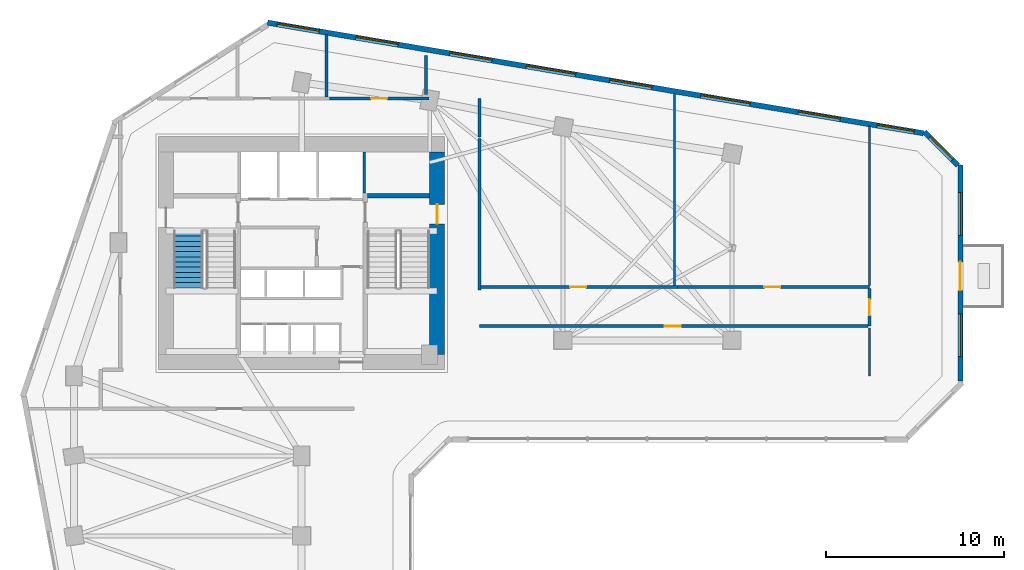
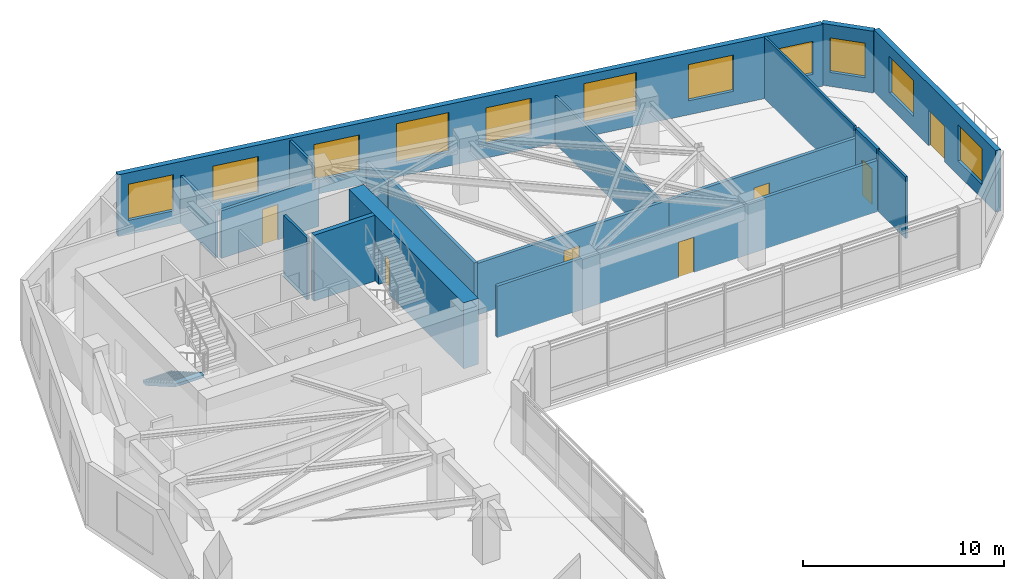
# One storey, part 7 of 11: 18 walls, 11 windows, 7 doors, 1 stair flight, 18 openings, 1 element without a shape of its own.
"""IFC4 building model written with IfcOpenShell, lengths in metres."""

import ifcopenshell
import ifcopenshell.guid

model = None  # the IFC model being written
_history = None  # IfcOwnerHistory: only IFC2X3 demands one
_inside = {}  # id of a spatial element -> (the spatial element, [elements in it])
_under = {}  # id of a project, library or spatial element -> (it, [spatial elements below it])
_declared = {}  # id of a project -> (the project, [libraries it declares])
_typed = {}  # id of a type object -> (the type object, [elements of that type])
_made_of = {}  # id of a material, layer set ... -> (it, [elements and type objects made of it])


def new_model(schema):
    """Start an empty IFC model of exactly this schema.

    Asked for "IFC4X3", IfcOpenShell would pick the latest addendum, in which some entities
    have other attributes; the version numbers below select the first issue.
    IFC2X3 requires an IfcOwnerHistory on every rooted entity: one is made here for all.
    """
    global model, _history
    if schema == "IFC4X3":
        model = ifcopenshell.file(schema_version=(4, 3, 0, 0))
    else:
        model = ifcopenshell.file(schema=schema)
    _inside.clear()
    _under.clear()
    _declared.clear()
    _typed.clear()
    _made_of.clear()
    _history = None
    if model.schema == "IFC2X3":
        org = make("IfcOrganization", Name="unknown")
        user = make(
            "IfcPersonAndOrganization",
            ThePerson=make("IfcPerson", FamilyName="unknown"),
            TheOrganization=org,
        )
        app = make(
            "IfcApplication",
            ApplicationDeveloper=org,
            Version="unknown",
            ApplicationFullName="unknown",
            ApplicationIdentifier="unknown",
        )
        _history = make(
            "IfcOwnerHistory",
            OwningUser=user,
            OwningApplication=app,
            ChangeAction="ADDED",
            CreationDate=0,
        )
    return model


def make(cls, **values):
    """One entity of the class cls with the attributes given. An attribute that is None is left unset."""
    return model.create_entity(
        cls, **{name: value for name, value in values.items() if value is not None}
    )


def rooted(cls, **values):
    """An entity with a GlobalId (a new one), such as an element, a storey or a relation."""
    return make(cls, GlobalId=ifcopenshell.guid.new(), OwnerHistory=_history, **values)


def si_unit(unit_type, name, prefix=None):
    """IfcSIUnit, for example si_unit("LENGTHUNIT", "METRE", prefix="MILLI")."""
    return make("IfcSIUnit", UnitType=unit_type, Prefix=prefix, Name=name)


def assignment(units):
    """IfcUnitAssignment: the units of a project."""
    return None if units is None else make("IfcUnitAssignment", Units=units)


def point(xyz):
    """IfcCartesianPoint."""
    return None if xyz is None else make("IfcCartesianPoint", Coordinates=xyz)


def direction(xyz):
    """IfcDirection."""
    return None if xyz is None else make("IfcDirection", DirectionRatios=xyz)


def frame(location, z_axis=None, x_axis=None):
    """IfcAxis2Placement3D, a coordinate frame: its origin and axes. An axis left out is left unset."""
    return make(
        "IfcAxis2Placement3D",
        Location=point(location),
        Axis=direction(z_axis),
        RefDirection=direction(x_axis),
    )


def frame_2d(location, x_axis=None):
    """IfcAxis2Placement2D, a coordinate frame in the plane: its origin and x axis."""
    return make(
        "IfcAxis2Placement2D", Location=point(location), RefDirection=direction(x_axis)
    )


def origin():
    """The frame at (0, 0, 0) with its axes left unset."""
    return frame((0.0, 0.0, 0.0))


def place(relative_to, where):
    """IfcLocalPlacement: puts the frame where relative to a parent placement (None: the world)."""
    return make(
        "IfcLocalPlacement", PlacementRelTo=relative_to, RelativePlacement=where
    )


def context(
    kind, dimensions, precision=None, world=None, true_north=None, identifier=None
):
    """IfcGeometricRepresentationContext, for example the 3D "Model" context."""
    return make(
        "IfcGeometricRepresentationContext",
        ContextIdentifier=identifier,
        ContextType=kind,
        CoordinateSpaceDimension=dimensions,
        Precision=precision,
        WorldCoordinateSystem=world,
        TrueNorth=true_north,
    )


def subcontext(parent, identifier, kind, view, scale=None):
    """IfcGeometricRepresentationSubContext, for example "Body" below "Model"."""
    return make(
        "IfcGeometricRepresentationSubContext",
        ContextIdentifier=identifier,
        ContextType=kind,
        ParentContext=parent,
        TargetScale=scale,
        TargetView=view,
    )


def project(units=None, contexts=None):
    """IfcProject with its units and contexts."""
    return rooted(
        "IfcProject",
        Name="project",
        RepresentationContexts=contexts,
        UnitsInContext=assignment(units),
    )


def spatial(cls, under=None, at=None, **own):
    """A site, building, storey or space (cls), placed at a placement, below another one or the project."""
    s = rooted(cls, ObjectPlacement=at, **own)
    if under is not None:
        _under.setdefault(under.id(), (under, []))[1].append(s)
    return s


def polyline(points):
    """IfcPolyline through the points."""
    return make("IfcPolyline", Points=[point(p) for p in points])


def profile(cls, at=None, kind="AREA", **sizes):
    """A parametric profile (cls). Its sizes go by their IFC names, for example OverallWidth=200.0."""
    return make(cls, ProfileType=kind, Position=at, **sizes)


def rectangle(**sizes):
    """IfcRectangleProfileDef."""
    return profile("IfcRectangleProfileDef", **sizes)


def outline(outer, holes=None, kind="AREA"):
    """IfcArbitraryClosedProfileDef: a profile drawn as a closed curve; with holes, ...WithVoids."""
    if holes is None:
        return make("IfcArbitraryClosedProfileDef", ProfileType=kind, OuterCurve=outer)
    return make(
        "IfcArbitraryProfileDefWithVoids",
        ProfileType=kind,
        OuterCurve=outer,
        InnerCurves=holes,
    )


def extrude(swept, where, along, depth):
    """IfcExtrudedAreaSolid: the profile swept, set in the frame where, extruded along a direction by depth."""
    return make(
        "IfcExtrudedAreaSolid",
        SweptArea=swept,
        Position=where,
        ExtrudedDirection=direction(along),
        Depth=depth,
    )


def shape(context_of_items, identifier, shape_type, items):
    """IfcShapeRepresentation: the items that make up one representation, for example the "Body"."""
    return make(
        "IfcShapeRepresentation",
        ContextOfItems=context_of_items,
        RepresentationIdentifier=identifier,
        RepresentationType=shape_type,
        Items=items,
    )


def source(mapping_origin, context_of_items, identifier, shape_type, items):
    """IfcRepresentationMap: a shape defined once, which mapped items show again and again."""
    return make(
        "IfcRepresentationMap",
        MappingOrigin=mapping_origin,
        MappedRepresentation=shape(context_of_items, identifier, shape_type, items),
    )


def transform(
    local_origin,
    x_axis=None,
    y_axis=None,
    z_axis=None,
    scale=None,
    scale2=None,
    scale3=None,
    uniform=True,
):
    """IfcCartesianTransformationOperator3D, or its non-uniform kind. x_axis, y_axis, z_axis: its Axis1, 2, 3."""
    if uniform:
        return make(
            "IfcCartesianTransformationOperator3D",
            Axis1=direction(x_axis),
            Axis2=direction(y_axis),
            LocalOrigin=point(local_origin),
            Scale=scale,
            Axis3=direction(z_axis),
        )
    return make(
        "IfcCartesianTransformationOperator3DnonUniform",
        Axis1=direction(x_axis),
        Axis2=direction(y_axis),
        LocalOrigin=point(local_origin),
        Scale=scale,
        Axis3=direction(z_axis),
        Scale2=scale2,
        Scale3=scale3,
    )


def mapped(mapping_source, mapping_target):
    """IfcMappedItem: shows the shape of a source again, moved by a transform."""
    return make(
        "IfcMappedItem", MappingSource=mapping_source, MappingTarget=mapping_target
    )


def material(Name=None, Category=None):
    """IfcMaterial."""
    return make("IfcMaterial", Name=Name, Category=Category)


def layer(
    of_material, thickness, ventilated=None, Name=None, Category=None, Priority=None
):
    """IfcMaterialLayer: one layer of a wall or slab, of a material (None: an air gap)."""
    return make(
        "IfcMaterialLayer",
        Material=of_material,
        LayerThickness=thickness,
        IsVentilated=ventilated,
        Name=Name,
        Category=Category,
        Priority=Priority,
    )


def layer_set(layers, Name=None):
    """IfcMaterialLayerSet."""
    return make("IfcMaterialLayerSet", MaterialLayers=layers, LayerSetName=Name)


def made_of(thing, what):
    """Note that an element or type object is made of a material, layer set ...; save() writes the relation."""
    if what is not None:
        _made_of.setdefault(what.id(), (what, []))[1].append(thing)
    return thing


def type_object(cls, material=None, **own):
    """A type object (cls), such as IfcWallType, which elements share."""
    return made_of(rooted(cls, **own), material)


def element(
    cls,
    number,
    at=None,
    inside=None,
    cuts=None,
    type_object=None,
    material=None,
    context=None,
    identifier="Body",
    shape_type=None,
    held_by="IfcProductDefinitionShape",
    body=None,
    shapes=None,
    **own,
):
    """One element of the class cls, such as IfcWall. Its Tag is "e" and its number.

    at: its placement. inside: the storey or other place that contains it. cuts: it is an
    opening in that element (IfcRelVoidsElement). A single representation is given by context,
    identifier, shape_type and body (its items); several are given by shapes. held_by: the class
    of the entity that holds the representations. save() writes the other relations.
    """
    e = rooted(cls, Tag="e%d" % number, ObjectPlacement=at, **own)
    if body is not None:
        shapes = [shape(context, identifier, shape_type, body)]
    if shapes is not None:
        e.Representation = make(held_by, Representations=shapes)
    if inside is not None:
        _inside.setdefault(inside.id(), (inside, []))[1].append(e)
    if cuts is not None:
        rooted(
            "IfcRelVoidsElement", RelatingBuildingElement=cuts, RelatedOpeningElement=e
        )
    if type_object is not None:
        _typed.setdefault(type_object.id(), (type_object, []))[1].append(e)
    return made_of(e, material)


def fill(opening, filler):
    """IfcRelFillsElement: the door or window that sits in an opening."""
    return rooted(
        "IfcRelFillsElement",
        RelatingOpeningElement=opening,
        RelatedBuildingElement=filler,
    )


def aggregate(whole, parts):
    """IfcRelAggregates: a whole, such as a stair, and the parts it consists of."""
    return rooted("IfcRelAggregates", RelatingObject=whole, RelatedObjects=parts)


def save(model, path):
    """Write the relations noted so far, then the file.

    IfcRelAggregates (storeys below a building ...), IfcRelContainedInSpatialStructure (elements
    in a storey), IfcRelDefinesByType, IfcRelAssociatesMaterial and IfcRelDeclares: one each for
    every whole, place, type object, material and project.
    """
    for whole, parts in _under.values():
        aggregate(whole, parts)
    for where, things in _inside.values():
        rooted(
            "IfcRelContainedInSpatialStructure",
            RelatedElements=things,
            RelatingStructure=where,
        )
    for kind, things in _typed.values():
        rooted("IfcRelDefinesByType", RelatedObjects=things, RelatingType=kind)
    for what, things in _made_of.values():
        rooted("IfcRelAssociatesMaterial", RelatedObjects=things, RelatingMaterial=what)
    for by, libraries in _declared.values():
        rooted("IfcRelDeclares", RelatingContext=by, RelatedDefinitions=libraries)
    model.write(path)


model = new_model("IFC4")

# Units and contexts
model_context = context("Model", 3, precision=1e-05, world=origin(), true_north=direction((0.0, 1.0)))
body_context = subcontext(model_context, "Body", "Model", "MODEL_VIEW")
ifc_project = project(units=[si_unit("LENGTHUNIT", "METRE"), si_unit("AREAUNIT", "SQUARE_METRE"), si_unit("VOLUMEUNIT", "CUBIC_METRE"), si_unit("PLANEANGLEUNIT", "RADIAN"), si_unit("MASSUNIT", "GRAM", prefix="KILO")], contexts=[model_context])

# Site, building, storey
site_placement = place(None, origin())
site = spatial("IfcSite", under=ifc_project, at=site_placement, CompositionType="ELEMENT")
building_placement = place(site_placement, origin())
building = spatial("IfcBuilding", under=site, at=building_placement, Name="Calvemar Wedge Station Tower", CompositionType="ELEMENT")
storey_placement = place(building_placement, frame((0.0, 0.0, 31.0)))
storey = spatial("IfcBuildingStorey", under=building, at=storey_placement, Name="L07", CompositionType="ELEMENT", Elevation=31.0)

# Wall
ifc_material_1 = material(Name="Concrete C50", Category="concrete")
ifc_layer_1 = layer(ifc_material_1, 0.260009765625)
ifc_layer_set_1 = layer_set([ifc_layer_1], Name="Concrete C50")
wall_type_1 = type_object("IfcWallType", Name="SW-CORE-260", PredefinedType="SHEAR", material=ifc_layer_set_1)
wall_1_placement = place(storey_placement, frame((27.5, 43.1298828125, 0.0), z_axis=(0.0, 0.0, 1.0), x_axis=(1.0, 0.0, 0.0)))
element("IfcWall", 1, at=wall_1_placement, inside=storey, type_object=wall_type_1, Name="Storey L07 Core Shear Wall STC2-N", PredefinedType="SHEAR", context=body_context, shape_type="SweptSolid", body=[
    extrude(rectangle(XDim=3.5, YDim=0.260009765625, at=frame_2d((1.75, 0.0))), origin(), (0.0, 0.0, 1.0), 4.0),
])

# Wall, opening, door
ifc_material_2 = material(Name="Concrete C80", Category="concrete")
ifc_layer_2 = layer(ifc_material_2, 0.85009765625)
ifc_layer_set_2 = layer_set([ifc_layer_2], Name="Concrete C80")
wall_type_2 = type_object("IfcWallType", Name="SW-CORE-850", PredefinedType="SHEAR", material=ifc_layer_set_2)
wall_2_placement = place(storey_placement, frame((31.425048828125, 34.199951171875, 0.0), z_axis=(0.0, 0.0, 1.0), x_axis=(0.0, 1.0, 0.0)))
wall_2 = element("IfcWall", 2, at=wall_2_placement, inside=storey, type_object=wall_type_2, Name="Storey L07 Core Shear Wall E", PredefinedType="SHEAR", context=body_context, shape_type="SweptSolid", body=[
    extrude(rectangle(XDim=11.400146484375, YDim=0.85009765625, at=frame_2d((5.7001953125, 0.0))), origin(), (0.0, 0.0, 1.0), 4.0),
])
shared_shape_1 = source(origin(), body_context, "Body", "SweptSolid", [
    extrude(rectangle(XDim=1.10009765625, YDim=2.14990234375, at=frame_2d((0.550048828125, 1.074951171875))), frame((0.0, 0.43505859375, 0.0), z_axis=(0.0, -1.0, 0.0), x_axis=(1.0, 0.0, 0.0)), (0.0, 0.0, 1.0), 0.8701171875),
])
opening_1_placement = place(wall_2_placement, frame((7.35009765625, 0.0, 0.0)))
opening_1 = element("IfcOpeningElement", 3, at=opening_1_placement, cuts=wall_2, Name="Opening FD-90", PredefinedType="OPENING", context=body_context, shape_type="MappedRepresentation", body=[
    mapped(shared_shape_1, transform((0.0, 0.0, 0.0), scale=1.0)),
])
ifc_material_3 = material(Name="Galvanized fire-rated steel door leaf P-90", Category="steel")
door_type_1 = type_object("IfcDoorType", Name="DR-FD90-1100", OperationType="NOTDEFINED", PredefinedType="DOOR", material=ifc_material_3)
shared_shape_2 = source(origin(), body_context, "Body", "SweptSolid", [
    extrude(rectangle(XDim=1.10009765625, YDim=2.14990234375, at=frame_2d((0.550048828125, 1.074951171875))), frame((0.0, 0.02490234375, 0.0), z_axis=(0.0, -1.0, 0.0), x_axis=(1.0, 0.0, 0.0)), (0.0, 0.0, 1.0), 0.050048828125),
])
door_1_placement = place(opening_1_placement, origin())
door_1 = element("IfcDoor", 4, at=door_1_placement, inside=storey, type_object=door_type_1, Name="L07 East Corridor to Exit Stair ST-C2 Door", OperationType="SINGLE_SWING_LEFT", OverallHeight=2.14990234375, OverallWidth=1.10009765625, PredefinedType="DOOR", context=body_context, shape_type="MappedRepresentation", body=[
    mapped(shared_shape_2, transform((0.0, 0.0, 0.0), scale=1.0)),
])
fill(opening_1, door_1)

ifc_material_4 = material(Name="Double-stud fire-rated corridor partition")
ifc_layer_3 = layer(ifc_material_4, 0.179931640625)
ifc_layer_set_3 = layer_set([ifc_layer_3], Name="Double-stud fire-rated corridor partition")
wall_type_3 = type_object("IfcWallType", Name="W-CORR-180", PredefinedType="PARTITIONING", material=ifc_layer_set_3)
wall_3_placement = place(storey_placement, frame((25.362060546875, 48.60009765625, 0.0), z_axis=(0.0, 0.0, 1.0), x_axis=(1.0, 0.0, 0.0)))
wall_3 = element("IfcWall", 5, at=wall_3_placement, inside=storey, type_object=wall_type_3, Name="Storey L07 Interior Partition WL-L07-011", PredefinedType="PARTITIONING", context=body_context, shape_type="SweptSolid", body=[
    extrude(rectangle(XDim=5.597900390625, YDim=0.179931640625, at=frame_2d((2.798828125, 0.0))), origin(), (0.0, 0.0, 1.0), 2.89208984375),
])
shared_shape_3 = source(origin(), body_context, "Body", "SweptSolid", [
    extrude(rectangle(XDim=0.89990234375, YDim=2.14990234375, at=frame_2d((0.449951171875, 1.074951171875))), frame((0.0, 0.10009765625, 0.0), z_axis=(0.0, -1.0, 0.0), x_axis=(1.0, 0.0, 0.0)), (0.0, 0.0, 1.0), 0.199951171875),
])
opening_2_placement = place(wall_3_placement, frame((2.34912109375, 0.0, 0.0)))
opening_2 = element("IfcOpeningElement", 6, at=opening_2_placement, cuts=wall_3, Name="Opening D-01", PredefinedType="OPENING", context=body_context, shape_type="MappedRepresentation", body=[
    mapped(shared_shape_3, transform((0.0, 0.0, 0.0), scale=1.0)),
])
ifc_material_5 = material(Name="Architectural hardwood acoustic swing door", Category="wood")
door_type_2 = type_object("IfcDoorType", Name="DR-INT-900", OperationType="NOTDEFINED", PredefinedType="DOOR", material=ifc_material_5)
shared_shape_4 = source(origin(), body_context, "Body", "SweptSolid", [
    extrude(rectangle(XDim=0.89990234375, YDim=2.14990234375, at=frame_2d((0.449951171875, 1.074951171875))), frame((0.0, 0.02490234375, 0.0), z_axis=(0.0, -1.0, 0.0), x_axis=(1.0, 0.0, 0.0)), (0.0, 0.0, 1.0), 0.050048828125),
])
door_2_placement = place(opening_2_placement, origin())
door_2 = element("IfcDoor", 7, at=door_2_placement, inside=storey, type_object=door_type_2, Name="L07 Female Toilet Door", OperationType="SINGLE_SWING_LEFT", OverallHeight=2.14990234375, OverallWidth=0.89990234375, PredefinedType="DOOR", context=body_context, shape_type="MappedRepresentation", body=[
    mapped(shared_shape_4, transform((0.0, 0.0, 0.0), scale=1.0)),
])
fill(opening_2, door_2)

# Walls
wall_4_placement = place(storey_placement, frame((33.800048828125, 48.60009765625, 0.0), z_axis=(0.0, 0.0, 1.0), x_axis=(0.0, -1.0, 0.0)))
element("IfcWall", 8, at=wall_4_placement, inside=storey, type_object=wall_type_3, Name="Storey L07 Interior Partition WL-L07-012", PredefinedType="PARTITIONING", context=body_context, shape_type="SweptSolid", body=[
    extrude(rectangle(XDim=2.150146484375, YDim=0.179931640625, at=frame_2d((1.0751953125, 0.0))), origin(), (0.0, 0.0, 1.0), 2.89208984375),
])
wall_5_placement = place(storey_placement, frame((33.800048828125, 46.35595703125, 0.0), z_axis=(0.0, 0.0, 1.0), x_axis=(0.0, -1.0, 0.0)))
element("IfcWall", 9, at=wall_5_placement, inside=storey, type_object=wall_type_3, Name="Storey L07 Interior Partition WL-L07-013", PredefinedType="PARTITIONING", context=body_context, shape_type="SweptSolid", body=[
    extrude(rectangle(XDim=8.515869140625, YDim=0.179931640625, at=frame_2d((4.2578125, 0.0))), origin(), (0.0, 0.0, 1.0), 3.279052734375),
])

# Wall, opening, door
wall_6_placement = place(storey_placement, frame((33.89404296875, 38.0, 0.0), z_axis=(0.0, 0.0, 1.0), x_axis=(1.0, 0.0, 0.0)))
wall_6 = element("IfcWall", 10, at=wall_6_placement, inside=storey, type_object=wall_type_3, Name="Storey L07 Interior Partition WL-L07-017", PredefinedType="PARTITIONING", context=body_context, shape_type="SweptSolid", body=[
    extrude(rectangle(XDim=11.032958984375, YDim=0.179931640625, at=frame_2d((5.5166015625, 0.0))), origin(), (0.0, 0.0, 1.0), 3.125),
])
opening_3_placement = place(wall_6_placement, frame((5.005859375, 0.0, 0.0)))
opening_3 = element("IfcOpeningElement", 11, at=opening_3_placement, cuts=wall_6, Name="Opening D-01", PredefinedType="OPENING", context=body_context, shape_type="MappedRepresentation", body=[
    mapped(shared_shape_3, transform((0.0, 0.0, 0.0), scale=1.0)),
])
door_3_placement = place(opening_3_placement, origin())
door_3 = element("IfcDoor", 12, at=door_3_placement, inside=storey, type_object=door_type_2, Name="L07 Co-Working Studio Door", OperationType="SINGLE_SWING_RIGHT", OverallHeight=2.14990234375, OverallWidth=0.89990234375, PredefinedType="DOOR", context=body_context, shape_type="MappedRepresentation", body=[
    mapped(shared_shape_4, transform((0.0, 0.0, 0.0), scale=1.0)),
])
fill(opening_3, door_3)

wall_7_placement = place(storey_placement, frame((44.928955078125, 38.0, 0.0), z_axis=(0.0, 0.0, 1.0), x_axis=(1.0, 0.0, 0.0)))
wall_7 = element("IfcWall", 13, at=wall_7_placement, inside=storey, type_object=wall_type_3, Name="Storey L07 Interior Partition WL-L07-018", PredefinedType="PARTITIONING", context=body_context, shape_type="SweptSolid", body=[
    extrude(rectangle(XDim=10.80615234375, YDim=0.179931640625, at=frame_2d((5.403076171875, 0.0))), origin(), (0.0, 0.0, 1.0), 3.125),
])
opening_4_placement = place(wall_7_placement, frame((4.892333984375, 0.0, 0.0)))
opening_4 = element("IfcOpeningElement", 14, at=opening_4_placement, cuts=wall_7, Name="Opening D-01", PredefinedType="OPENING", context=body_context, shape_type="MappedRepresentation", body=[
    mapped(shared_shape_3, transform((0.0, 0.0, 0.0), scale=1.0)),
])
door_4_placement = place(opening_4_placement, origin())
door_4 = element("IfcDoor", 15, at=door_4_placement, inside=storey, type_object=door_type_2, Name="L07 Meeting Room Door", OperationType="SINGLE_SWING_LEFT", OverallHeight=2.14990234375, OverallWidth=0.89990234375, PredefinedType="DOOR", context=body_context, shape_type="MappedRepresentation", body=[
    mapped(shared_shape_4, transform((0.0, 0.0, 0.0), scale=1.0)),
])
fill(opening_4, door_4)

wall_8_placement = place(storey_placement, frame((55.735107421875, 37.906005859375, 0.0), z_axis=(0.0, 0.0, 1.0), x_axis=(0.0, -1.0, 0.0)))
wall_8 = element("IfcWall", 16, at=wall_8_placement, inside=storey, type_object=wall_type_3, Name="Storey L07 Interior Partition WL-L07-019", PredefinedType="PARTITIONING", context=body_context, shape_type="SweptSolid", body=[
    extrude(rectangle(XDim=2.10595703125, YDim=0.179931640625, at=frame_2d((1.052978515625, 0.0))), origin(), (0.0, 0.0, 1.0), 3.75),
])
opening_5_placement = place(wall_8_placement, frame((0.60302734375, 0.0, 0.0)))
opening_5 = element("IfcOpeningElement", 17, at=opening_5_placement, cuts=wall_8, Name="Opening D-01", PredefinedType="OPENING", context=body_context, shape_type="MappedRepresentation", body=[
    mapped(shared_shape_3, transform((0.0, 0.0, 0.0), scale=1.0)),
])
door_5_placement = place(opening_5_placement, origin())
door_5 = element("IfcDoor", 18, at=door_5_placement, inside=storey, type_object=door_type_2, Name="L07 Briefing Lounge Door", OperationType="SINGLE_SWING_RIGHT", OverallHeight=2.14990234375, OverallWidth=0.89990234375, PredefinedType="DOOR", context=body_context, shape_type="MappedRepresentation", body=[
    mapped(shared_shape_4, transform((0.0, 0.0, 0.0), scale=1.0)),
])
fill(opening_5, door_5)

wall_9_placement = place(storey_placement, frame((55.64111328125, 35.800048828125, 0.0), z_axis=(0.0, 0.0, 1.0), x_axis=(-1.0, 0.0, 0.0)))
wall_9 = element("IfcWall", 19, at=wall_9_placement, inside=storey, type_object=wall_type_3, Name="Storey L07 Interior Partition WL-L07-020", PredefinedType="PARTITIONING", context=body_context, shape_type="SweptSolid", body=[
    extrude(rectangle(XDim=21.841064453125, YDim=0.179931640625, at=frame_2d((10.92041015625, 0.0))), origin(), (0.0, 0.0, 1.0), 3.125),
])
opening_6_placement = place(wall_9_placement, frame((10.53076171875, 0.0, 0.0)))
opening_6 = element("IfcOpeningElement", 20, at=opening_6_placement, cuts=wall_9, Name="Opening D-01", PredefinedType="OPENING", context=body_context, shape_type="MappedRepresentation", body=[
    mapped(shared_shape_3, transform((0.0, 0.0, 0.0), scale=1.0)),
])
door_6_placement = place(opening_6_placement, origin())
door_6 = element("IfcDoor", 21, at=door_6_placement, inside=storey, type_object=door_type_2, Name="L07 Meeting Room Door", OperationType="SINGLE_SWING_LEFT", OverallHeight=2.14990234375, OverallWidth=0.89990234375, PredefinedType="DOOR", context=body_context, shape_type="MappedRepresentation", body=[
    mapped(shared_shape_4, transform((0.0, 0.0, 0.0), scale=1.0)),
])
fill(opening_6, door_6)

# Wall, openings, windows, door
ifc_material_6 = material(Name="Precast concrete C45", Category="concrete")
ifc_layer_4 = layer(ifc_material_6, 0.300048828125)
ifc_layer_set_4 = layer_set([ifc_layer_4], Name="Precast concrete C45")
wall_type_4 = type_object("IfcWallType", Name="W-EXT-GFRC-300", PredefinedType="SOLIDWALL", material=ifc_layer_set_4)
wall_10_placement = place(storey_placement, frame((60.85009765625, 32.71728515625, 0.0), z_axis=(0.0, 0.0, 1.0), x_axis=(0.0, 1.0, 0.0)))
wall_10 = element("IfcWall", 22, at=wall_10_placement, inside=storey, type_object=wall_type_4, Name="Storey L07 Bronze GFRC Exterior Wall 8", PredefinedType="SOLIDWALL", context=body_context, shape_type="SweptSolid", body=[
    extrude(rectangle(XDim=12.130615234375, YDim=0.300048828125, at=frame_2d((6.0654296875, 0.0))), origin(), (0.0, 0.0, 1.0), 3.75),
])
shared_shape_5 = source(origin(), body_context, "Body", "SweptSolid", [
    extrude(rectangle(XDim=1.60009765625, YDim=2.14990234375, at=frame_2d((0.800048828125, 1.074951171875))), frame((0.0, 0.16015625, 0.0), z_axis=(0.0, -1.0, 0.0), x_axis=(1.0, 0.0, 0.0)), (0.0, 0.0, 1.0), 0.320068359375),
])
opening_7_placement = place(wall_10_placement, frame((5.093017578125, 0.0, 0.0)))
opening_7 = element("IfcOpeningElement", 23, at=opening_7_placement, cuts=wall_10, Name="Opening DT1", PredefinedType="OPENING", context=body_context, shape_type="MappedRepresentation", body=[
    mapped(shared_shape_5, transform((0.0, 0.0, 0.0), scale=1.0)),
])
shared_shape_6 = source(origin(), body_context, "Body", "SweptSolid", [
    extrude(rectangle(XDim=2.39990234375, YDim=2.199951171875, at=frame_2d((1.199951171875, 1.10009765625))), frame((0.0, 0.16015625, 0.0), z_axis=(0.0, -1.0, 0.0), x_axis=(1.0, 0.0, 0.0)), (0.0, 0.0, 1.0), 0.320068359375),
])
opening_8_placement = place(wall_10_placement, frame((1.366943359375, 0.0, 0.85009765625)))
opening_8 = element("IfcOpeningElement", 24, at=opening_8_placement, cuts=wall_10, Name="Opening W1", PredefinedType="OPENING", context=body_context, shape_type="MappedRepresentation", body=[
    mapped(shared_shape_6, transform((0.0, 0.0, 0.0), scale=1.0)),
])
opening_9_placement = place(wall_10_placement, frame((8.19189453125, 0.0, 0.85009765625)))
opening_9 = element("IfcOpeningElement", 25, at=opening_9_placement, cuts=wall_10, Name="Opening W1", PredefinedType="OPENING", context=body_context, shape_type="MappedRepresentation", body=[
    mapped(shared_shape_6, transform((0.0, 0.0, 0.0), scale=1.0)),
])
ifc_material_7 = material(Name="Low-E laminated insulated glass", Category="glass")
window_type_1 = type_object("IfcWindowType", Name="WIN-EXT-1", PartitioningType="SINGLE_PANEL", PredefinedType="WINDOW", material=ifc_material_7)
shared_shape_7 = source(origin(), body_context, "Body", "SweptSolid", [
    extrude(rectangle(XDim=2.39990234375, YDim=2.199951171875, at=frame_2d((1.199951171875, 1.10009765625))), frame((0.0, -0.014892578125, 0.0), z_axis=(0.0, -1.0, 0.0), x_axis=(1.0, 0.0, 0.0)), (0.0, 0.0, 1.0), 0.06005859375),
])
window_1_placement = place(opening_8_placement, origin())
window_1 = element("IfcWindow", 26, at=window_1_placement, inside=storey, type_object=window_type_1, Name="Storey L07 Recessed Window 8.1", OverallHeight=2.199951171875, OverallWidth=2.39990234375, PartitioningType="SINGLE_PANEL", PredefinedType="WINDOW", context=body_context, shape_type="MappedRepresentation", body=[
    mapped(shared_shape_7, transform((0.0, 0.0, 0.0), scale=1.0)),
])
fill(opening_8, window_1)
window_2_placement = place(opening_9_placement, origin())
window_2 = element("IfcWindow", 27, at=window_2_placement, inside=storey, type_object=window_type_1, Name="Storey L07 Recessed Window 8.2", OverallHeight=2.199951171875, OverallWidth=2.39990234375, PartitioningType="SINGLE_PANEL", PredefinedType="WINDOW", context=body_context, shape_type="MappedRepresentation", body=[
    mapped(shared_shape_7, transform((0.0, 0.0, 0.0), scale=1.0)),
])
fill(opening_9, window_2)
ifc_material_8 = material(Name="Anodised aluminium 6063-T6", Category="aluminium")
door_type_3 = type_object("IfcDoorType", Name="DR-TERR-1600", OperationType="DOUBLE_DOOR_SLIDING", PredefinedType="DOOR", material=ifc_material_8)
shared_shape_8 = source(origin(), body_context, "Body", "SweptSolid", [
    extrude(rectangle(XDim=1.60009765625, YDim=2.14990234375, at=frame_2d((0.800048828125, 1.074951171875))), frame((0.0, 0.02490234375, 0.0), z_axis=(0.0, -1.0, 0.0), x_axis=(1.0, 0.0, 0.0)), (0.0, 0.0, 1.0), 0.050048828125),
])
door_7_placement = place(opening_7_placement, origin())
door_7 = element("IfcDoor", 28, at=door_7_placement, inside=storey, type_object=door_type_3, Name="Storey L07 Spiral Terrace Door", OperationType="DOUBLE_DOOR_SLIDING", OverallHeight=2.14990234375, OverallWidth=1.60009765625, PredefinedType="DOOR", context=body_context, shape_type="MappedRepresentation", body=[
    mapped(shared_shape_8, transform((0.0, 0.0, 0.0), scale=1.0)),
])
fill(opening_7, door_7)

# Wall, opening, window
wall_11_placement = place(storey_placement, frame((60.7119140625, 44.8359375, 0.0), z_axis=(0.0, 0.0, 1.0), x_axis=(-0.707106781187, 0.707106781187, 0.0)))
wall_11 = element("IfcWall", 29, at=wall_11_placement, inside=storey, type_object=wall_type_4, Name="Storey L07 Bronze GFRC Exterior Wall 9", PredefinedType="SOLIDWALL", context=body_context, shape_type="SweptSolid", body=[
    extrude(rectangle(XDim=2.673095703125, YDim=0.300048828125, at=frame_2d((1.33642578125, 0.0))), origin(), (0.0, 0.0, 1.0), 3.75),
])
shared_shape_9 = source(origin(), body_context, "Body", "SweptSolid", [
    extrude(rectangle(XDim=1.800048828125, YDim=2.10009765625, at=frame_2d((0.89990234375, 1.050048828125))), frame((0.0, 0.16015625, 0.0), z_axis=(0.0, -1.0, 0.0), x_axis=(1.0, 0.0, 0.0)), (0.0, 0.0, 1.0), 0.320068359375),
])
opening_10_placement = place(wall_11_placement, frame((0.43701171875, 0.0, 0.85009765625)))
opening_10 = element("IfcOpeningElement", 30, at=opening_10_placement, cuts=wall_11, Name="Opening W2", PredefinedType="OPENING", context=body_context, shape_type="MappedRepresentation", body=[
    mapped(shared_shape_9, transform((0.0, 0.0, 0.0), scale=1.0)),
])
window_type_2 = type_object("IfcWindowType", Name="WIN-EXT-2", PartitioningType="SINGLE_PANEL", PredefinedType="WINDOW", material=ifc_material_7)
shared_shape_10 = source(origin(), body_context, "Body", "SweptSolid", [
    extrude(rectangle(XDim=1.800048828125, YDim=2.10009765625, at=frame_2d((0.89990234375, 1.050048828125))), frame((0.0, -0.014892578125, 0.0), z_axis=(0.0, -1.0, 0.0), x_axis=(1.0, 0.0, 0.0)), (0.0, 0.0, 1.0), 0.06005859375),
])
window_3_placement = place(opening_10_placement, origin())
window_3 = element("IfcWindow", 31, at=window_3_placement, inside=storey, type_object=window_type_2, Name="Storey L07 Recessed Window 9.1", OverallHeight=2.10009765625, OverallWidth=1.800048828125, PartitioningType="SINGLE_PANEL", PredefinedType="WINDOW", context=body_context, shape_type="MappedRepresentation", body=[
    mapped(shared_shape_10, transform((0.0, 0.0, 0.0), scale=1.0)),
])
fill(opening_10, window_3)

# Wall, openings, windows
wall_12_placement = place(storey_placement, frame((58.7607421875, 46.648193359375, 0.0), z_axis=(0.0, 0.0, 1.0), x_axis=(-0.98607502735, 0.166301053624, 0.0)))
wall_12 = element("IfcWall", 32, at=wall_12_placement, inside=storey, type_object=wall_type_4, Name="Storey L07 Bronze GFRC Exterior Wall 10", PredefinedType="SOLIDWALL", context=body_context, shape_type="SweptSolid", body=[
    extrude(rectangle(XDim=37.3974609375, YDim=0.300048828125, at=frame_2d((18.69873046875, 0.0))), origin(), (0.0, 0.0, 1.0), 3.75),
])
shared_shape_11 = source(origin(), body_context, "Body", "SweptSolid", [
    extrude(rectangle(XDim=2.10009765625, YDim=2.0, at=frame_2d((1.050048828125, 1.0))), frame((0.0, 0.16015625, 0.0), z_axis=(0.0, -1.0, 0.0), x_axis=(1.0, 0.0, 0.0)), (0.0, 0.0, 1.0), 0.320068359375),
])
opening_11_placement = place(wall_12_placement, frame((0.52490234375, 0.0, 0.85009765625)))
opening_11 = element("IfcOpeningElement", 33, at=opening_11_placement, cuts=wall_12, Name="Opening W4", PredefinedType="OPENING", context=body_context, shape_type="MappedRepresentation", body=[
    mapped(shared_shape_11, transform((0.0, 0.0, 0.0), scale=1.0)),
])
opening_12_placement = place(wall_12_placement, frame((4.739990234375, 0.0, 0.85009765625)))
opening_12 = element("IfcOpeningElement", 34, at=opening_12_placement, cuts=wall_12, Name="Opening W1", PredefinedType="OPENING", context=body_context, shape_type="MappedRepresentation", body=[
    mapped(shared_shape_6, transform((0.0, 0.0, 0.0), scale=1.0)),
])
shared_shape_12 = source(origin(), body_context, "Body", "SweptSolid", [
    extrude(rectangle(XDim=2.800048828125, YDim=2.39990234375, at=frame_2d((1.39990234375, 1.199951171875))), frame((0.0, 0.16015625, 0.0), z_axis=(0.0, -1.0, 0.0), x_axis=(1.0, 0.0, 0.0)), (0.0, 0.0, 1.0), 0.320068359375),
])
opening_13_placement = place(wall_12_placement, frame((9.881103515625, 0.0, 0.85009765625)))
opening_13 = element("IfcOpeningElement", 35, at=opening_13_placement, cuts=wall_12, Name="Opening W6", PredefinedType="OPENING", context=body_context, shape_type="MappedRepresentation", body=[
    mapped(shared_shape_12, transform((0.0, 0.0, 0.0), scale=1.0)),
])
opening_14_placement = place(wall_12_placement, frame((15.472900390625, 0.0, 0.85009765625)))
opening_14 = element("IfcOpeningElement", 36, at=opening_14_placement, cuts=wall_12, Name="Opening W1", PredefinedType="OPENING", context=body_context, shape_type="MappedRepresentation", body=[
    mapped(shared_shape_6, transform((0.0, 0.0, 0.0), scale=1.0)),
])
opening_15_placement = place(wall_12_placement, frame((19.8359375, 0.0, 0.85009765625)))
opening_15 = element("IfcOpeningElement", 37, at=opening_15_placement, cuts=wall_12, Name="Opening W6", PredefinedType="OPENING", context=body_context, shape_type="MappedRepresentation", body=[
    mapped(shared_shape_12, transform((0.0, 0.0, 0.0), scale=1.0)),
])
opening_16_placement = place(wall_12_placement, frame((24.597900390625, 0.0, 0.85009765625)))
opening_16 = element("IfcOpeningElement", 38, at=opening_16_placement, cuts=wall_12, Name="Opening W1", PredefinedType="OPENING", context=body_context, shape_type="MappedRepresentation", body=[
    mapped(shared_shape_6, transform((0.0, 0.0, 0.0), scale=1.0)),
])
opening_17_placement = place(wall_12_placement, frame((29.95703125, 0.0, 0.85009765625)))
opening_17 = element("IfcOpeningElement", 39, at=opening_17_placement, cuts=wall_12, Name="Opening W1", PredefinedType="OPENING", context=body_context, shape_type="MappedRepresentation", body=[
    mapped(shared_shape_6, transform((0.0, 0.0, 0.0), scale=1.0)),
])
opening_18_placement = place(wall_12_placement, frame((34.4560546875, 0.0, 0.85009765625)))
opening_18 = element("IfcOpeningElement", 40, at=opening_18_placement, cuts=wall_12, Name="Opening W1", PredefinedType="OPENING", context=body_context, shape_type="MappedRepresentation", body=[
    mapped(shared_shape_6, transform((0.0, 0.0, 0.0), scale=1.0)),
])
window_type_3 = type_object("IfcWindowType", Name="WIN-EXT-4", PartitioningType="SINGLE_PANEL", PredefinedType="WINDOW", material=ifc_material_7)
shared_shape_13 = source(origin(), body_context, "Body", "SweptSolid", [
    extrude(rectangle(XDim=2.10009765625, YDim=2.0, at=frame_2d((1.050048828125, 1.0))), frame((0.0, -0.014892578125, 0.0), z_axis=(0.0, -1.0, 0.0), x_axis=(1.0, 0.0, 0.0)), (0.0, 0.0, 1.0), 0.06005859375),
])
window_4_placement = place(opening_11_placement, origin())
window_4 = element("IfcWindow", 41, at=window_4_placement, inside=storey, type_object=window_type_3, Name="Storey L07 Recessed Window 10.1", OverallHeight=2.0, OverallWidth=2.10009765625, PartitioningType="SINGLE_PANEL", PredefinedType="WINDOW", context=body_context, shape_type="MappedRepresentation", body=[
    mapped(shared_shape_13, transform((0.0, 0.0, 0.0), scale=1.0)),
])
fill(opening_11, window_4)
window_type_4 = type_object("IfcWindowType", Name="WIN-EXT-6", PartitioningType="SINGLE_PANEL", PredefinedType="WINDOW", material=ifc_material_7)
shared_shape_14 = source(origin(), body_context, "Body", "SweptSolid", [
    extrude(rectangle(XDim=2.800048828125, YDim=2.39990234375, at=frame_2d((1.39990234375, 1.199951171875))), frame((0.0, -0.014892578125, 0.0), z_axis=(0.0, -1.0, 0.0), x_axis=(1.0, 0.0, 0.0)), (0.0, 0.0, 1.0), 0.06005859375),
])
window_5_placement = place(opening_13_placement, origin())
window_5 = element("IfcWindow", 42, at=window_5_placement, inside=storey, type_object=window_type_4, Name="Storey L07 Recessed Window 10.3", OverallHeight=2.39990234375, OverallWidth=2.800048828125, PartitioningType="SINGLE_PANEL", PredefinedType="WINDOW", context=body_context, shape_type="MappedRepresentation", body=[
    mapped(shared_shape_14, transform((0.0, 0.0, 0.0), scale=1.0)),
])
fill(opening_13, window_5)
window_6_placement = place(opening_15_placement, origin())
window_6 = element("IfcWindow", 43, at=window_6_placement, inside=storey, type_object=window_type_4, Name="Storey L07 Recessed Window 10.5", OverallHeight=2.39990234375, OverallWidth=2.800048828125, PartitioningType="SINGLE_PANEL", PredefinedType="WINDOW", context=body_context, shape_type="MappedRepresentation", body=[
    mapped(shared_shape_14, transform((0.0, 0.0, 0.0), scale=1.0)),
])
fill(opening_15, window_6)
window_7_placement = place(opening_12_placement, origin())
window_7 = element("IfcWindow", 44, at=window_7_placement, inside=storey, type_object=window_type_1, Name="Storey L07 Recessed Window 10.2", OverallHeight=2.199951171875, OverallWidth=2.39990234375, PartitioningType="SINGLE_PANEL", PredefinedType="WINDOW", context=body_context, shape_type="MappedRepresentation", body=[
    mapped(shared_shape_7, transform((0.0, 0.0, 0.0), scale=1.0)),
])
fill(opening_12, window_7)
window_8_placement = place(opening_14_placement, origin())
window_8 = element("IfcWindow", 45, at=window_8_placement, inside=storey, type_object=window_type_1, Name="Storey L07 Recessed Window 10.4", OverallHeight=2.199951171875, OverallWidth=2.39990234375, PartitioningType="SINGLE_PANEL", PredefinedType="WINDOW", context=body_context, shape_type="MappedRepresentation", body=[
    mapped(shared_shape_7, transform((0.0, 0.0, 0.0), scale=1.0)),
])
fill(opening_14, window_8)
window_9_placement = place(opening_16_placement, origin())
window_9 = element("IfcWindow", 46, at=window_9_placement, inside=storey, type_object=window_type_1, Name="Storey L07 Recessed Window 10.6", OverallHeight=2.199951171875, OverallWidth=2.39990234375, PartitioningType="SINGLE_PANEL", PredefinedType="WINDOW", context=body_context, shape_type="MappedRepresentation", body=[
    mapped(shared_shape_7, transform((0.0, 0.0, 0.0), scale=1.0)),
])
fill(opening_16, window_9)
window_10_placement = place(opening_17_placement, origin())
window_10 = element("IfcWindow", 47, at=window_10_placement, inside=storey, type_object=window_type_1, Name="Storey L07 Recessed Window 10.7", OverallHeight=2.199951171875, OverallWidth=2.39990234375, PartitioningType="SINGLE_PANEL", PredefinedType="WINDOW", context=body_context, shape_type="MappedRepresentation", body=[
    mapped(shared_shape_7, transform((0.0, 0.0, 0.0), scale=1.0)),
])
fill(opening_17, window_10)
window_11_placement = place(opening_18_placement, origin())
window_11 = element("IfcWindow", 48, at=window_11_placement, inside=storey, type_object=window_type_1, Name="Storey L07 Recessed Window 10.8", OverallHeight=2.199951171875, OverallWidth=2.39990234375, PartitioningType="SINGLE_PANEL", PredefinedType="WINDOW", context=body_context, shape_type="MappedRepresentation", body=[
    mapped(shared_shape_7, transform((0.0, 0.0, 0.0), scale=1.0)),
])
fill(opening_18, window_11)

# Walls
ifc_material_9 = material(Name="Reinforced concrete blockwork lift shaft wall", Category="masonry")
ifc_layer_5 = layer(ifc_material_9, 0.139892578125)
ifc_layer_set_5 = layer_set([ifc_layer_5], Name="Reinforced concrete blockwork lift shaft wall")
wall_type_5 = type_object("IfcWallType", Name="W-LIFT-160", PredefinedType="SOLIDWALL", material=ifc_layer_set_5)
wall_13_placement = place(storey_placement, frame((27.31005859375, 43.280029296875, 0.0), z_axis=(0.0, 0.0, 1.0), x_axis=(0.0, 1.0, 0.0)))
element("IfcWall", 49, at=wall_13_placement, inside=storey, type_object=wall_type_5, Name="Storey L07 Firefighting Lift Shaft Enclosure Wall E", PredefinedType="SOLIDWALL", context=body_context, shape_type="SweptSolid", body=[
    extrude(rectangle(XDim=2.300048828125, YDim=0.139892578125, at=frame_2d((1.14990234375, 0.0))), origin(), (0.0, 0.0, 1.0), 3.75),
])
ifc_material_10 = material(Name="Insulated acoustic gypsum stud partition")
ifc_layer_6 = layer(ifc_material_10, 0.125)
ifc_layer_set_6 = layer_set([ifc_layer_6], Name="Insulated acoustic gypsum stud partition")
wall_type_6 = type_object("IfcWallType", Name="W-PART-125", PredefinedType="PARTITIONING", material=ifc_layer_set_6)
wall_14_placement = place(storey_placement, frame((44.76708984375, 48.8916015625, 0.0), z_axis=(0.0, 0.0, 1.0), x_axis=(0.0, -1.0, 0.0)))
element("IfcWall", 50, at=wall_14_placement, inside=storey, type_object=wall_type_6, Name="Storey L07 Interior Partition WL-L07-021", PredefinedType="PARTITIONING", context=body_context, shape_type="SweptSolid", body=[
    extrude(rectangle(XDim=10.797607421875, YDim=0.125, at=frame_2d((5.39892578125, 0.0))), origin(), (0.0, 0.0, 1.0), 2.89208984375),
])
wall_15_placement = place(storey_placement, frame((55.735107421875, 47.0419921875, 0.0), z_axis=(0.0, 0.0, 1.0), x_axis=(0.0, -1.0, 0.0)))
element("IfcWall", 51, at=wall_15_placement, inside=storey, type_object=wall_type_6, Name="Storey L07 Interior Partition WL-L07-022", PredefinedType="PARTITIONING", context=body_context, shape_type="SweptSolid", body=[
    extrude(rectangle(XDim=8.947998046875, YDim=0.125, at=frame_2d((4.47412109375, 0.0))), origin(), (0.0, 0.0, 1.0), 3.75),
])
wall_16_placement = place(storey_placement, frame((55.735107421875, 33.0, 0.0), z_axis=(0.0, 0.0, 1.0), x_axis=(0.0, 1.0, 0.0)))
element("IfcWall", 52, at=wall_16_placement, inside=storey, type_object=wall_type_6, Name="Storey L07 Interior Partition WL-L07-023", PredefinedType="PARTITIONING", context=body_context, shape_type="SweptSolid", body=[
    extrude(rectangle(XDim=2.7060546875, YDim=0.125, at=frame_2d((1.35302734375, 0.0))), origin(), (0.0, 0.0, 1.0), 3.75),
])
ifc_material_11 = material(Name="Moisture-resistant acoustic bathroom partition")
ifc_layer_7 = layer(ifc_material_11, 0.14990234375)
ifc_layer_set_7 = layer_set([ifc_layer_7], Name="Moisture-resistant acoustic bathroom partition")
wall_type_7 = type_object("IfcWallType", Name="W-WET-150", PredefinedType="PARTITIONING", material=ifc_layer_set_7)
wall_17_placement = place(storey_placement, frame((25.199951171875, 52.191650390625, 0.0), z_axis=(0.0, 0.0, 1.0), x_axis=(0.0, -1.0, 0.0)))
element("IfcWall", 53, at=wall_17_placement, inside=storey, type_object=wall_type_7, Name="Storey L07 Interior Partition WL-L07-016", PredefinedType="PARTITIONING", context=body_context, shape_type="SweptSolid", body=[
    extrude(rectangle(XDim=3.49755859375, YDim=0.14990234375, at=frame_2d((1.748779296875, 0.0))), origin(), (0.0, 0.0, 1.0), 2.89208984375),
])
wall_18_placement = place(storey_placement, frame((30.800048828125, 51.02392578125, 0.0), z_axis=(0.0, 0.0, 1.0), x_axis=(0.0, -1.0, 0.0)))
element("IfcWall", 54, at=wall_18_placement, inside=storey, type_object=wall_type_7, Name="Storey L07 Bathroom Enclosure Wall WL-L07-027", PredefinedType="PARTITIONING", context=body_context, shape_type="SweptSolid", body=[
    extrude(rectangle(XDim=2.203857421875, YDim=0.14990234375, at=frame_2d((1.10205078125, 0.0))), origin(), (0.0, 0.0, 1.0), 3.75),
])

# Stair, stair flight
ifc_material_12 = material(Name="Concrete C45", Category="concrete")
stair_type = type_object("IfcStairType", Name="ST-TYPE-4000", PredefinedType="HALF_TURN_STAIR", material=ifc_material_12)
stair_placement = place(storey_placement, origin())
stair = element("IfcStair", 55, at=stair_placement, inside=storey, type_object=stair_type, Name="L07 Pressurized Core Exit Stair ST-C1", PredefinedType="HALF_TURN_STAIR")
stair_flight_type = type_object("IfcStairFlightType", Name="STF-TYPE-4000", PredefinedType="STRAIGHT", material=ifc_material_12)
stair_flight_placement = place(storey_placement, frame((17.429931640625, 41.14990234375, 0.0), z_axis=(0.0, 0.0, 1.0), x_axis=(0.0, -1.0, 0.0)))
stair_flight = element("IfcStairFlight", 56, at=stair_flight_placement, type_object=stair_flight_type, Name="ST-C1 flight 1", NumberOfRisers=12, NumberOfTreads=11, PredefinedType="STRAIGHT", RiserHeight=0.166666667, TreadLength=0.29, context=body_context, shape_type="SweptSolid", body=[
    extrude(outline(polyline([(0.0, 0.0), (0.0, 0.166748046875), (0.2900390625, 0.166748046875), (0.2900390625, 0.333251953125), (0.580078125, 0.333251953125), (0.580078125, 0.5), (0.8701171875, 0.5), (0.8701171875, 0.666748046875), (1.159912109375, 0.666748046875), (1.159912109375, 0.833251953125), (1.449951171875, 0.833251953125), (1.449951171875, 1.0), (1.739990234375, 1.0), (1.739990234375, 1.166748046875), (2.030029296875, 1.166748046875), (2.030029296875, 1.333251953125), (2.320068359375, 1.333251953125), (2.320068359375, 1.5), (2.610107421875, 1.5), (2.610107421875, 1.666748046875), (2.89990234375, 1.666748046875), (2.89990234375, 1.833251953125), (3.18994140625, 1.833251953125), (3.18994140625, 2.0), (3.18994140625, 1.660400390625), (0.30078125, 0.0), (0.0, 0.0)])), frame((0.0, 0.830078125, 0.0), z_axis=(0.0, -1.0, 0.0), x_axis=(1.0, 0.0, 0.0)), (0.0, 0.0, 1.0), 1.659912109375),
])
aggregate(stair, [stair_flight])

save(model, "model.ifc")
